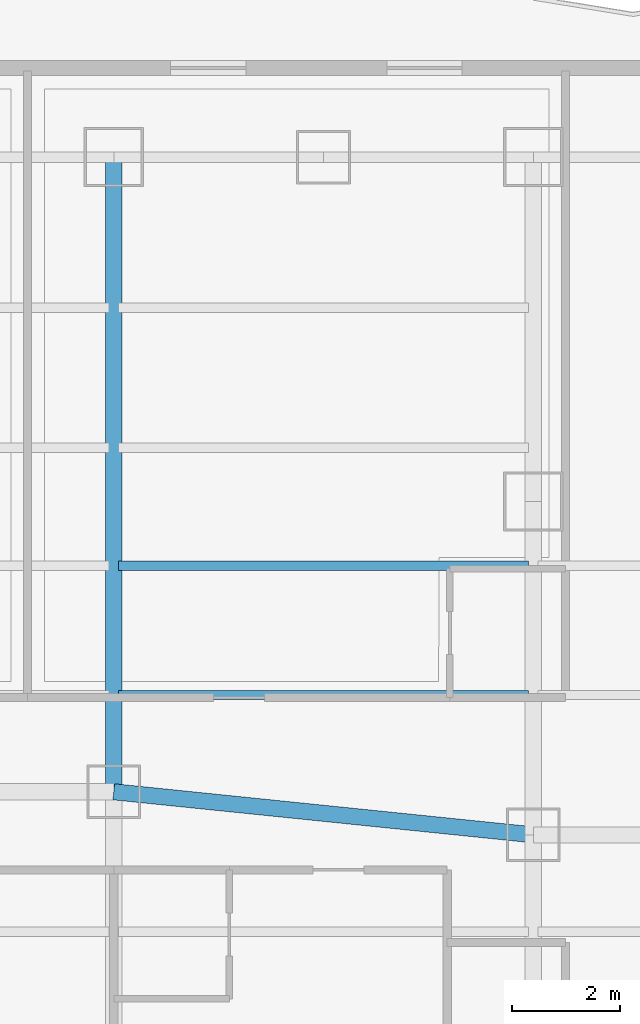
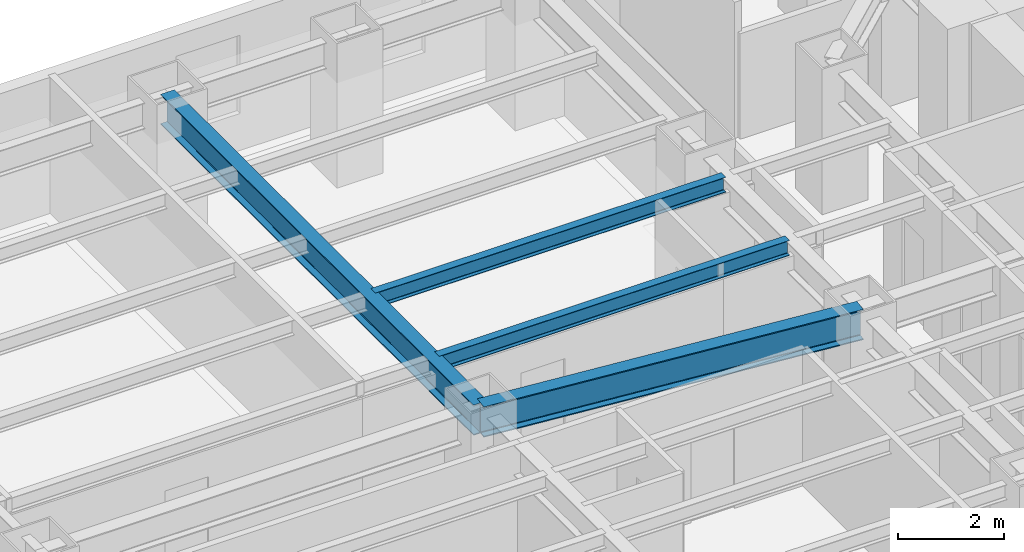
# One storey, part 15 of 33: 4 beams.
"""IFC4 building model written with IfcOpenShell, lengths in metres."""

from ifc_helpers import new_model, si_unit, direction, frame, origin, origin_2d, place, context, subcontext, project, spatial, i_section, extrude, material, material_profile, profile_set, type_object, element, save


model = new_model("IFC4")

# Units and contexts
model_context = context("Model", 3, precision=1e-05, world=origin(), true_north=direction((0.0, 1.0)))
body_context = subcontext(model_context, "Body", "Model", "MODEL_VIEW")
ifc_project = project(units=[si_unit("LENGTHUNIT", "METRE"), si_unit("AREAUNIT", "SQUARE_METRE"), si_unit("VOLUMEUNIT", "CUBIC_METRE"), si_unit("PLANEANGLEUNIT", "RADIAN"), si_unit("MASSUNIT", "GRAM", prefix="KILO")], contexts=[model_context])

# Site, building, storey
site_placement = place(None, origin())
site = spatial("IfcSite", under=ifc_project, at=site_placement, CompositionType="ELEMENT")
building_placement = place(site_placement, origin())
building = spatial("IfcBuilding", under=site, at=building_placement, Name="Hatsunagi Terrace Concourse", CompositionType="ELEMENT")
storey_placement = place(building_placement, frame((0.0, 0.0, 53.35009765625)))
storey = spatial("IfcBuildingStorey", under=building, at=storey_placement, Name="L13", CompositionType="ELEMENT", Elevation=53.35009765625)

# Beams
ifc_material_1 = material(Name="Steel SN490B", Category="steel")
ifc_material_profile_1 = material_profile(ifc_material_1, i_section(OverallWidth=0.300048828125, OverallDepth=0.699951171875, WebThickness=0.012939453125, FlangeThickness=0.02392578125, FilletRadius=0.02197265625, at=origin_2d()), Name="H-700x300x13x24")
ifc_profile_set_1 = profile_set([ifc_material_profile_1], Name="Steel SN490B")
beam_type_1 = type_object("IfcBeamType", Name="HotelFloorGirder_H_700x300", PredefinedType="BEAM", material=ifc_profile_set_1)
beam_1_placement = place(storey_placement, frame((11.39990234375, 36.800048828125, 2.77978515625), z_axis=(0.0, 1.0, 0.0), x_axis=(-1.0, 0.0, 0.0)))
element("IfcBeam", 1, at=beam_1_placement, inside=storey, type_object=beam_type_1, Name="Beam G-04 BM-L13-NS-11-36", PredefinedType="BEAM", context=body_context, shape_type="SweptSolid", body=[
    extrude(i_section(OverallWidth=0.300048828125, OverallDepth=0.699951171875, WebThickness=0.012939453125, FlangeThickness=0.02392578125, FilletRadius=0.02197265625, at=origin_2d()), origin(), (0.0, 0.0, 1.0), 11.800048828125),
])
beam_2_placement = place(storey_placement, frame((11.39990234375, 36.800048828125, 2.77978515625), z_axis=(0.994780871372, -0.102034395927, 0.0), x_axis=(0.102034395927, 0.994780871372, 0.0)))
element("IfcBeam", 2, at=beam_2_placement, inside=storey, type_object=beam_type_1, Name="Beam G-04 BM-L13-EW-2", PredefinedType="BEAM", context=body_context, shape_type="SweptSolid", body=[
    extrude(i_section(OverallWidth=0.300048828125, OverallDepth=0.699951171875, WebThickness=0.012939453125, FlangeThickness=0.02392578125, FilletRadius=0.02197265625, at=origin_2d()), origin(), (0.0, 0.0, 1.0), 7.841064453125),
])
ifc_material_2 = material(Name="Steel SN490B", Category="steel")
ifc_material_profile_2 = material_profile(ifc_material_2, i_section(OverallWidth=0.175048828125, OverallDepth=0.35009765625, WebThickness=0.007080078125, FlangeThickness=0.010986328125, FilletRadius=0.012939453125, at=origin_2d()), Name="H-350x175x7x11")
ifc_profile_set_2 = profile_set([ifc_material_profile_2], Name="Steel SN490B")
beam_type_2 = type_object("IfcBeamType", Name="HotelJoist_H_350x175", PredefinedType="JOIST", material=ifc_profile_set_2)
for number, where, z_axis, x_axis, name in (
    (3, (11.485107421875, 38.60009765625, 2.954833984375), (1.0, 0.0, 0.0), (0.0, 1.0, 0.0), "Beam J-02 J-L13-W-11-386"),
    (4, (11.485107421875, 41.0, 2.954833984375), (1.0, 0.0, 0.0), (0.0, 1.0, 0.0), "Beam J-02 J-L13-W-11-410"),
):
    element("IfcBeam", number, at=place(storey_placement, frame(where, z_axis=z_axis, x_axis=x_axis)), inside=storey, type_object=beam_type_2, Name=name, PredefinedType="JOIST", context=body_context, shape_type="SweptSolid", body=[
        extrude(i_section(OverallWidth=0.175048828125, OverallDepth=0.35009765625, WebThickness=0.007080078125, FlangeThickness=0.010986328125, FilletRadius=0.012939453125, at=origin_2d()), origin(), (0.0, 0.0, 1.0), 7.6298828125),
    ])

save(model, "model.ifc")
